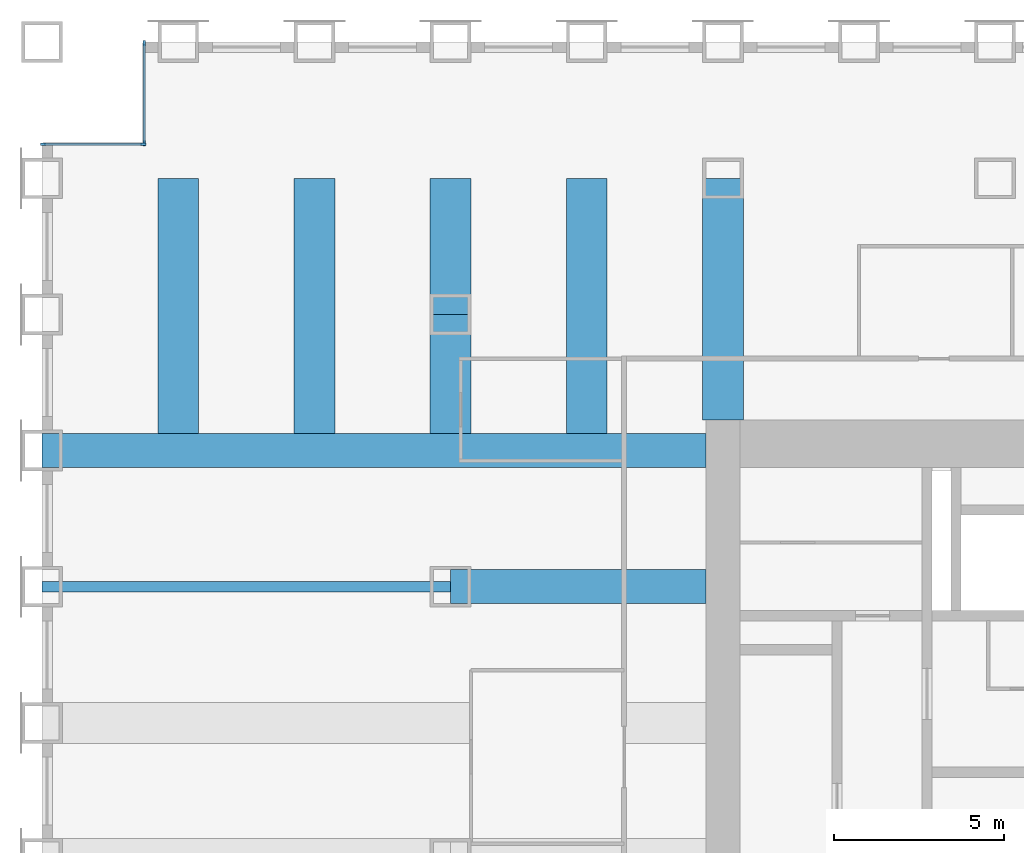
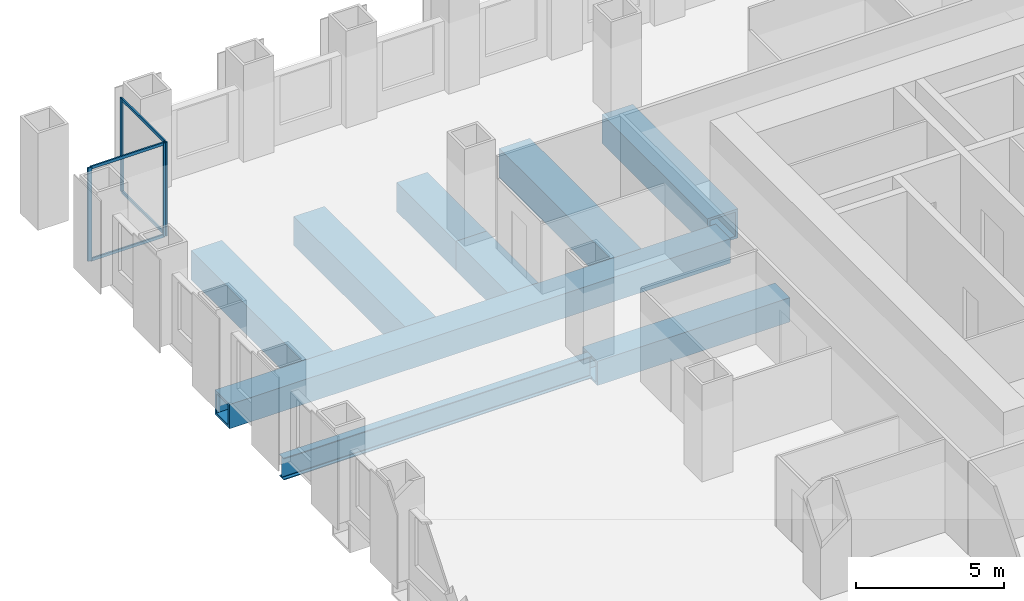
# One storey, part 5 of 14: 9 beams, 8 members, 2 elements without a shape of their own.
"""IFC4 building model written with IfcOpenShell, lengths in metres."""

from ifc_helpers import new_model, si_unit, direction, frame, origin, origin_2d, place, context, subcontext, project, spatial, rectangle, hollow_rectangle, i_section, extrude, material, material_profile, profile_set, type_object, element, aggregate, save


model = new_model("IFC4")

# Units and contexts
model_context = context("Model", 3, precision=1e-05, world=origin(), true_north=direction((0.0, 1.0)))
body_context = subcontext(model_context, "Body", "Model", "MODEL_VIEW")
ifc_project = project(units=[si_unit("LENGTHUNIT", "METRE"), si_unit("AREAUNIT", "SQUARE_METRE"), si_unit("VOLUMEUNIT", "CUBIC_METRE"), si_unit("PLANEANGLEUNIT", "RADIAN"), si_unit("MASSUNIT", "GRAM", prefix="KILO")], contexts=[model_context])

# Site, building, storey
site_placement = place(None, origin())
site = spatial("IfcSite", under=ifc_project, at=site_placement, CompositionType="ELEMENT")
building_placement = place(site_placement, origin())
building = spatial("IfcBuilding", under=site, at=building_placement, Name="Rimbunsela Tower", CompositionType="ELEMENT")
storey_placement = place(building_placement, frame((0.0, 0.0, 47.0)))
storey = spatial("IfcBuildingStorey", under=building, at=storey_placement, Name="L11", CompositionType="ELEMENT", Elevation=47.0)

# Beams
ifc_material_1 = material(Name="Steel BJ 55 (fy 410 MPa)", Category="steel")
ifc_material_profile_1 = material_profile(ifc_material_1, hollow_rectangle(XDim=1.0, YDim=1.0, WallThickness=0.10009765625, at=origin_2d()), Name="BOX 1000x1000x100")
ifc_profile_set_1 = profile_set([ifc_material_profile_1], Name="Steel BJ 55 (fy 410 MPa)")
beam_type_1 = type_object("IfcBeamType", Name="Beam BOX 1000x1000x100", PredefinedType="BEAM", material=ifc_profile_set_1)
beam_1_placement = place(storey_placement, frame((-2.0, 36.0, -0.64990234375), z_axis=(1.0, 0.0, 0.0), x_axis=(0.0, 1.0, 0.0)))
element("IfcBeam", 1, at=beam_1_placement, inside=storey, type_object=beam_type_1, Name="Beam B3 L11", PredefinedType="BEAM", context=body_context, shape_type="SweptSolid", body=[
    extrude(hollow_rectangle(XDim=1.0, YDim=1.0, WallThickness=0.10009765625, at=origin_2d()), origin(), (0.0, 0.0, 1.0), 19.5),
])
beam_2_placement = place(storey_placement, frame((10.0, 32.0, -0.64990234375), z_axis=(1.0, 0.0, 0.0), x_axis=(0.0, 1.0, 0.0)))
element("IfcBeam", 2, at=beam_2_placement, inside=storey, type_object=beam_type_1, Name="Beam B3 L11", PredefinedType="BEAM", context=body_context, shape_type="SweptSolid", body=[
    extrude(hollow_rectangle(XDim=1.0, YDim=1.0, WallThickness=0.10009765625, at=origin_2d()), origin(), (0.0, 0.0, 1.0), 7.5),
])
ifc_material_2 = material(Name="Steel BJ 55 (fy 410 MPa)", Category="steel")
ifc_material_profile_2 = material_profile(ifc_material_2, hollow_rectangle(XDim=1.199951171875, YDim=1.199951171875, WallThickness=0.10009765625, at=origin_2d()), Name="BOX 1200x1200x100")
ifc_profile_set_2 = profile_set([ifc_material_profile_2], Name="Steel BJ 55 (fy 410 MPa)")
beam_type_2 = type_object("IfcBeamType", Name="Beam BOX 1200x1200x100", PredefinedType="BEAM", material=ifc_profile_set_2)
for number, where, z_axis, x_axis, name in (
    (3, (2.0, 36.5, -0.75), (0.0, 1.0, 0.0), (-1.0, 0.0, 0.0), "Beam B5 L11"),
    (4, (6.0, 36.5, -0.75), (0.0, 1.0, 0.0), (-1.0, 0.0, 0.0), "Beam B5 L11"),
):
    element("IfcBeam", number, at=place(storey_placement, frame(where, z_axis=z_axis, x_axis=x_axis)), inside=storey, type_object=beam_type_2, Name=name, PredefinedType="BEAM", context=body_context, shape_type="SweptSolid", body=[
        extrude(hollow_rectangle(XDim=1.199951171875, YDim=1.199951171875, WallThickness=0.10009765625, at=origin_2d()), origin(), (0.0, 0.0, 1.0), 7.5),
    ])
beam_3_placement = place(storey_placement, frame((10.0, 36.5, -0.75), z_axis=(0.0, 1.0, 0.0), x_axis=(-1.0, 0.0, 0.0)))
element("IfcBeam", 5, at=beam_3_placement, inside=storey, type_object=beam_type_2, Name="Beam B5 L11", PredefinedType="BEAM", context=body_context, shape_type="SweptSolid", body=[
    extrude(hollow_rectangle(XDim=1.199951171875, YDim=1.199951171875, WallThickness=0.10009765625, at=origin_2d()), origin(), (0.0, 0.0, 1.0), 3.5),
])
beam_4_placement = place(storey_placement, frame((10.0, 40.0, -0.75), z_axis=(0.0, 1.0, 0.0), x_axis=(-1.0, 0.0, 0.0)))
element("IfcBeam", 6, at=beam_4_placement, inside=storey, type_object=beam_type_2, Name="Beam B5 L11", PredefinedType="BEAM", context=body_context, shape_type="SweptSolid", body=[
    extrude(hollow_rectangle(XDim=1.199951171875, YDim=1.199951171875, WallThickness=0.10009765625, at=origin_2d()), origin(), (0.0, 0.0, 1.0), 4.0),
])
beam_5_placement = place(storey_placement, frame((14.0, 36.5, -0.75), z_axis=(0.0, 1.0, 0.0), x_axis=(-1.0, 0.0, 0.0)))
element("IfcBeam", 7, at=beam_5_placement, inside=storey, type_object=beam_type_2, Name="Beam B5 L11", PredefinedType="BEAM", context=body_context, shape_type="SweptSolid", body=[
    extrude(hollow_rectangle(XDim=1.199951171875, YDim=1.199951171875, WallThickness=0.10009765625, at=origin_2d()), origin(), (0.0, 0.0, 1.0), 7.5),
])
beam_6_placement = place(storey_placement, frame((18.0, 36.89990234375, -0.75), z_axis=(0.0, 1.0, 0.0), x_axis=(-1.0, 0.0, 0.0)))
element("IfcBeam", 8, at=beam_6_placement, inside=storey, type_object=beam_type_2, Name="Beam B5 L11", PredefinedType="BEAM", context=body_context, shape_type="SweptSolid", body=[
    extrude(hollow_rectangle(XDim=1.199951171875, YDim=1.199951171875, WallThickness=0.10009765625, at=origin_2d()), origin(), (0.0, 0.0, 1.0), 7.10009765625),
])
ifc_material_3 = material(Name="Steel BJ 55 (fy 410 MPa)", Category="steel")
ifc_material_profile_3 = material_profile(ifc_material_3, i_section(OverallWidth=0.300048828125, OverallDepth=0.89990234375, WebThickness=0.01611328125, FlangeThickness=0.028076171875, FilletRadius=0.028076171875, at=origin_2d()), Name="H 900x300x16x28")
ifc_profile_set_3 = profile_set([ifc_material_profile_3], Name="Steel BJ 55 (fy 410 MPa)")
beam_type_3 = type_object("IfcBeamType", Name="Beam H 900x300x16x28", PredefinedType="BEAM", material=ifc_profile_set_3)
beam_7_placement = place(storey_placement, frame((-2.0, 32.0, -0.60009765625), z_axis=(1.0, 0.0, 0.0), x_axis=(0.0, 1.0, 0.0)))
element("IfcBeam", 9, at=beam_7_placement, inside=storey, type_object=beam_type_3, Name="Beam B2 L11", PredefinedType="BEAM", context=body_context, shape_type="SweptSolid", body=[
    extrude(i_section(OverallWidth=0.300048828125, OverallDepth=0.89990234375, WebThickness=0.01611328125, FlangeThickness=0.028076171875, FilletRadius=0.028076171875, at=origin_2d()), origin(), (0.0, 0.0, 1.0), 12.0),
])

# Curtain wall, members
ifc_material_4 = material(Name="Aluminium curtain wall", Category="aluminium")
curtain_wall_type = type_object("IfcCurtainWallType", Name="Corner glazing", PredefinedType="USERDEFINED", material=ifc_material_4)
curtain_wall_1_placement = place(storey_placement, origin())
curtain_wall_1 = element("IfcCurtainWall", 10, at=curtain_wall_1_placement, inside=storey, type_object=curtain_wall_type, Name="Corner glazing L11", ObjectType="CORNER GLAZING", PredefinedType="USERDEFINED")
ifc_material_5 = material(Name="Aluminium mullion", Category="aluminium")
ifc_material_profile_4 = material_profile(ifc_material_5, rectangle(XDim=0.06005859375, YDim=0.159912109375, at=origin_2d()), Name="Mullion 60x160")
ifc_profile_set_4 = profile_set([ifc_material_profile_4], Name="Aluminium mullion")
member_type_1 = type_object("IfcMemberType", Name="Curtain wall mullion 60x160", PredefinedType="MULLION", material=ifc_profile_set_4)
member_1_placement = place(storey_placement, frame((1.0, 47.969970703125, 0.0), z_axis=(0.0, 0.0, 1.0), x_axis=(1.0, 0.0, 0.0)))
member_1 = element("IfcMember", 11, at=member_1_placement, type_object=member_type_1, Name="CW5 mullion 1", PredefinedType="MULLION", context=body_context, shape_type="SweptSolid", body=[
    extrude(rectangle(XDim=0.06005859375, YDim=0.159912109375, at=origin_2d()), origin(), (0.0, 0.0, 1.0), 3.85009765625),
])
member_2_placement = place(storey_placement, frame((1.0, 45.030029296875, 0.0), z_axis=(0.0, 0.0, 1.0), x_axis=(1.0, 0.0, 0.0)))
member_2 = element("IfcMember", 12, at=member_2_placement, type_object=member_type_1, Name="CW5 mullion 2", PredefinedType="MULLION", context=body_context, shape_type="SweptSolid", body=[
    extrude(rectangle(XDim=0.06005859375, YDim=0.159912109375, at=origin_2d()), origin(), (0.0, 0.0, 1.0), 3.85009765625),
])

curtain_wall_2_placement = place(storey_placement, origin())
curtain_wall_2 = element("IfcCurtainWall", 13, at=curtain_wall_2_placement, inside=storey, type_object=curtain_wall_type, Name="Corner glazing L11", ObjectType="CORNER GLAZING", PredefinedType="USERDEFINED")
member_3_placement = place(storey_placement, frame((0.969970703125, 45.0, 0.0), z_axis=(0.0, 0.0, 1.0), x_axis=(0.0, -1.0, 0.0)))
member_3 = element("IfcMember", 14, at=member_3_placement, type_object=member_type_1, Name="CW5 mullion 1", PredefinedType="MULLION", context=body_context, shape_type="SweptSolid", body=[
    extrude(rectangle(XDim=0.06005859375, YDim=0.159912109375, at=origin_2d()), origin(), (0.0, 0.0, 1.0), 3.85009765625),
])
member_4_placement = place(storey_placement, frame((-1.969970703125, 45.0, 0.0), z_axis=(0.0, 0.0, 1.0), x_axis=(0.0, -1.0, 0.0)))
member_4 = element("IfcMember", 15, at=member_4_placement, type_object=member_type_1, Name="CW5 mullion 2", PredefinedType="MULLION", context=body_context, shape_type="SweptSolid", body=[
    extrude(rectangle(XDim=0.06005859375, YDim=0.159912109375, at=origin_2d()), origin(), (0.0, 0.0, 1.0), 3.85009765625),
])

# Member
ifc_material_6 = material(Name="Aluminium transom", Category="aluminium")
ifc_material_profile_5 = material_profile(ifc_material_6, rectangle(XDim=0.06005859375, YDim=0.1201171875, at=origin_2d()), Name="Transom 60x120")
ifc_profile_set_5 = profile_set([ifc_material_profile_5], Name="Aluminium transom")
member_type_2 = type_object("IfcMemberType", Name="Curtain wall transom 60x120", PredefinedType="USERDEFINED", material=ifc_profile_set_5)
member_5_placement = place(storey_placement, frame((1.0, 47.93994140625, 0.030029296875), z_axis=(0.0, -1.0, 0.0), x_axis=(1.0, 0.0, 0.0)))
member_5 = element("IfcMember", 16, at=member_5_placement, type_object=member_type_2, Name="CW5 transom 1.1", ObjectType="TRANSOM", PredefinedType="USERDEFINED", context=body_context, shape_type="SweptSolid", body=[
    extrude(rectangle(XDim=0.06005859375, YDim=0.1201171875, at=origin_2d()), origin(), (0.0, 0.0, 1.0), 2.8798828125),
])

member_6_placement = place(storey_placement, frame((1.0, 47.93994140625, 3.820068359375), z_axis=(0.0, -1.0, 0.0), x_axis=(1.0, 0.0, 0.0)))
member_6 = element("IfcMember", 17, at=member_6_placement, type_object=member_type_2, Name="CW5 transom 1.2", ObjectType="TRANSOM", PredefinedType="USERDEFINED", context=body_context, shape_type="SweptSolid", body=[
    extrude(rectangle(XDim=0.06005859375, YDim=0.1201171875, at=origin_2d()), origin(), (0.0, 0.0, 1.0), 2.8798828125),
])

aggregate(curtain_wall_1, [member_1, member_2, member_5, member_6])

member_7_placement = place(storey_placement, frame((0.93994140625, 45.0, 0.030029296875), z_axis=(-1.0, 0.0, 0.0), x_axis=(0.0, -1.0, 0.0)))
member_7 = element("IfcMember", 18, at=member_7_placement, type_object=member_type_2, Name="CW5 transom 1.1", ObjectType="TRANSOM", PredefinedType="USERDEFINED", context=body_context, shape_type="SweptSolid", body=[
    extrude(rectangle(XDim=0.06005859375, YDim=0.1201171875, at=origin_2d()), origin(), (0.0, 0.0, 1.0), 2.8798828125),
])

member_8_placement = place(storey_placement, frame((0.93994140625, 45.0, 3.820068359375), z_axis=(-1.0, 0.0, 0.0), x_axis=(0.0, -1.0, 0.0)))
member_8 = element("IfcMember", 19, at=member_8_placement, type_object=member_type_2, Name="CW5 transom 1.2", ObjectType="TRANSOM", PredefinedType="USERDEFINED", context=body_context, shape_type="SweptSolid", body=[
    extrude(rectangle(XDim=0.06005859375, YDim=0.1201171875, at=origin_2d()), origin(), (0.0, 0.0, 1.0), 2.8798828125),
])

aggregate(curtain_wall_2, [member_3, member_4, member_7, member_8])

save(model, "model.ifc")
